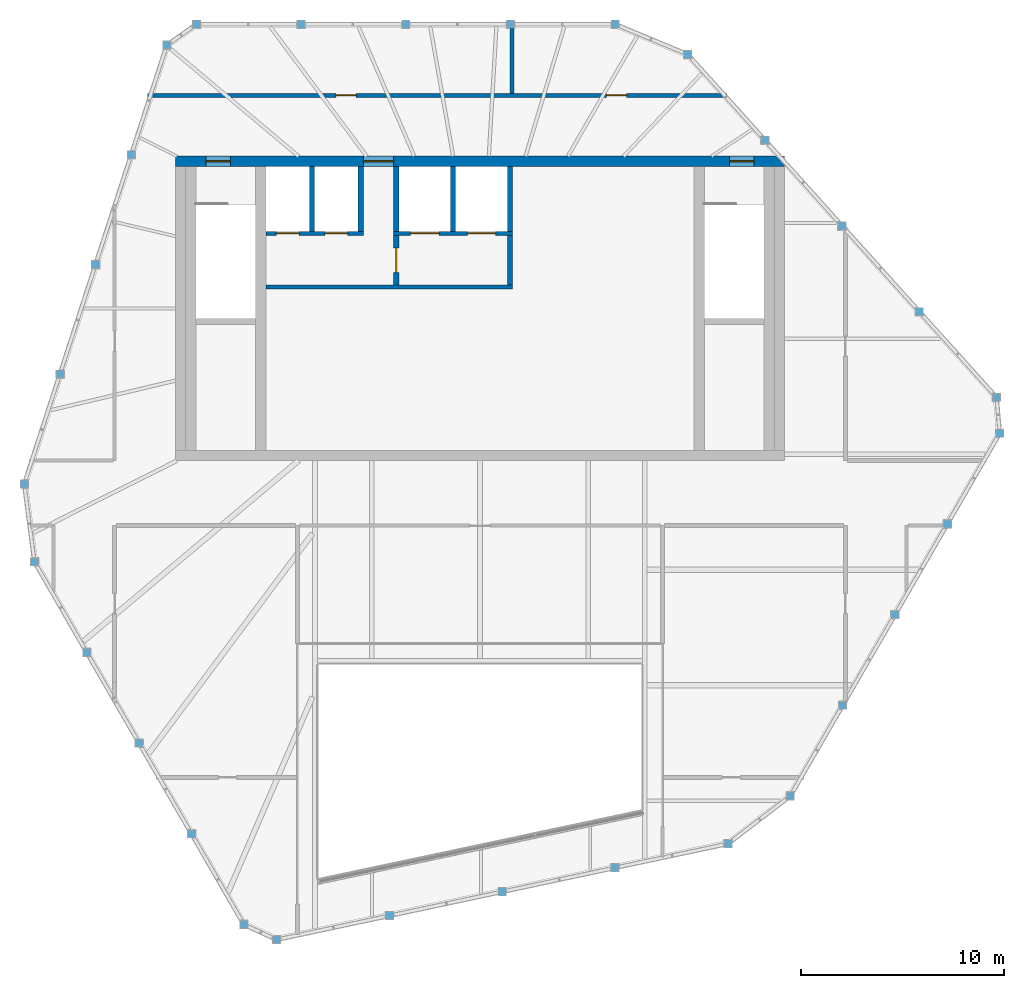
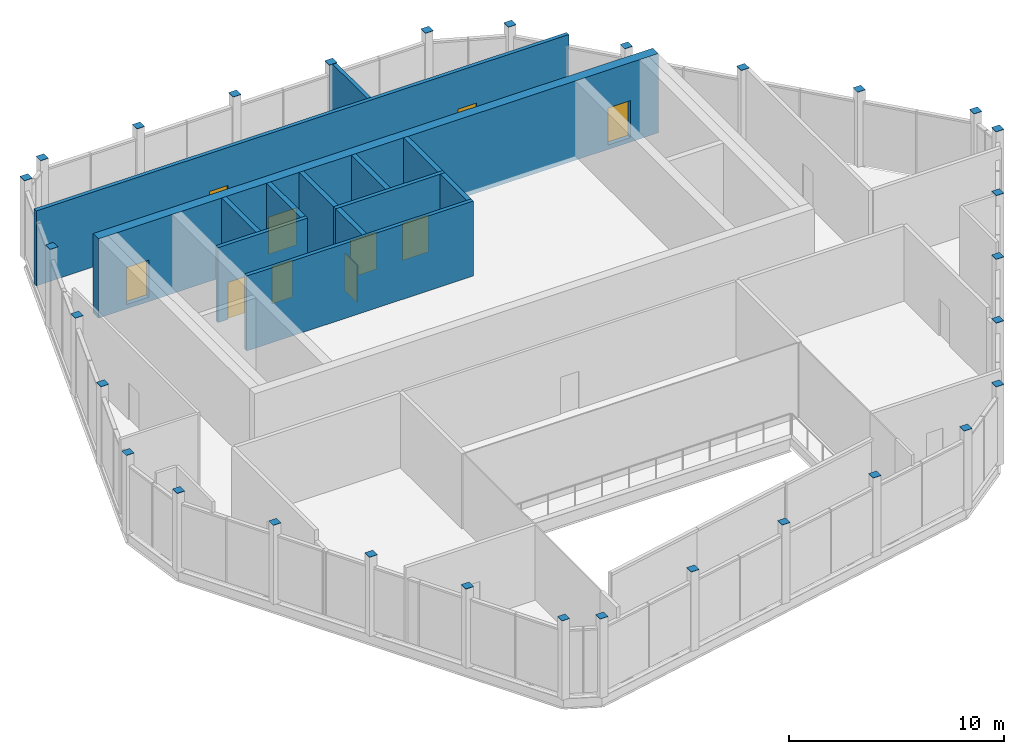
# One storey, part 9 of 10: 30 discrete accessories, 13 walls, 10 doors, 10 openings.
"""IFC4 building model written with IfcOpenShell, lengths in metres."""

from ifc_helpers import new_model, si_unit, direction, frame, frame_2d, origin, origin_2d, place, context, subcontext, project, spatial, rectangle, extrude, material, layer, layer_set, type_object, element, fill, save


model = new_model("IFC4")

# Units and contexts
model_context = context("Model", 3, precision=1e-05, world=origin(), true_north=direction((0.0, 1.0)))
body_context = subcontext(model_context, "Body", "Model", "MODEL_VIEW")
ifc_project = project(units=[si_unit("LENGTHUNIT", "METRE"), si_unit("AREAUNIT", "SQUARE_METRE"), si_unit("VOLUMEUNIT", "CUBIC_METRE"), si_unit("PLANEANGLEUNIT", "RADIAN"), si_unit("MASSUNIT", "GRAM", prefix="KILO")], contexts=[model_context])

# Site, building, storey
site_placement = place(None, origin())
site = spatial("IfcSite", under=ifc_project, at=site_placement, CompositionType="ELEMENT")
building_placement = place(site_placement, origin())
building = spatial("IfcBuilding", under=site, at=building_placement, Name="Isthmus Gate Tower", CompositionType="ELEMENT")
storey_placement = place(building_placement, frame((0.0, 0.0, 311.10009765625)))
storey = spatial("IfcBuildingStorey", under=building, at=storey_placement, Name="C3", CompositionType="ELEMENT", Elevation=311.10009765625)

# Wall, opening, door
ifc_material_1 = material(Name="Fire-rated blockwork masonry, 15 MPa", Category="masonry")
ifc_layer_1 = layer(ifc_material_1, 0.25)
ifc_layer_set_1 = layer_set([ifc_layer_1], Name="FIRE-FIGHTING LOBBY WALL 250 90 MIN")
wall_type_1 = type_object("IfcWallType", Name="FIRE-FIGHTING LOBBY WALL 250 90 MIN", PredefinedType="PARTITIONING", material=ifc_layer_set_1)
wall_1_placement = place(storey_placement, frame((-4.125, 8.64990234375, 0.0), z_axis=(0.0, 0.0, 1.0), x_axis=(0.0, 1.0, 0.0)))
wall_1 = element("IfcWall", 1, at=wall_1_placement, inside=storey, type_object=wall_type_1, Name="C3 FIRE-FIGHTING LOBBY WALL 250 90 MIN", PredefinedType="PARTITIONING", context=body_context, shape_type="SweptSolid", body=[
    extrude(rectangle(XDim=2.4501953125, YDim=0.25, at=frame_2d((1.22509765625, 0.0))), origin(), (0.0, 0.0, 1.0), 4.25),
])
opening_1_placement = place(wall_1_placement, frame((0.625, 0.0, 0.0)))
opening_1 = element("IfcOpeningElement", 2, at=opening_1_placement, cuts=wall_1, Name="Opening DC-A23-03", PredefinedType="OPENING", context=body_context, shape_type="SweptSolid", body=[
    extrude(rectangle(XDim=1.199951171875, YDim=2.10009765625, at=frame_2d((0.60009765625, 1.050048828125))), frame((0.0, 0.135009765625, 0.0), z_axis=(0.0, -1.0, 0.0), x_axis=(1.0, 0.0, 0.0)), (0.0, 0.0, 1.0), 0.27001953125),
])
ifc_material_2 = material(Name="Steel door leaf, fire-rated", Category="steel")
door_type_1 = type_object("IfcDoorType", Name="LOBBY FIRE DOOR 1200 X 2100 90 MIN", OperationType="DOUBLE_DOOR_SINGLE_SWING", PredefinedType="DOOR", material=ifc_material_2)
door_1_placement = place(opening_1_placement, origin())
door_1 = element("IfcDoor", 3, at=door_1_placement, inside=storey, type_object=door_type_1, Name="Fire-fighting Lobby Door", OperationType="SINGLE_SWING_LEFT", OverallHeight=2.10009765625, OverallWidth=1.199951171875, PredefinedType="DOOR", context=body_context, shape_type="SweptSolid", body=[
    extrude(rectangle(XDim=1.199951171875, YDim=2.10009765625, at=frame_2d((0.60009765625, 1.050048828125))), frame((0.0, 0.02490234375, 0.0), z_axis=(0.0, -1.0, 0.0), x_axis=(1.0, 0.0, 0.0)), (0.0, 0.0, 1.0), 0.050048828125),
])
fill(opening_1, door_1)

# Wall, openings, doors
ifc_material_3 = material(Name="Concrete f'c 30 MPa", Category="concrete")
ifc_layer_2 = layer(ifc_material_3, 0.199951171875)
ifc_layer_set_2 = layer_set([ifc_layer_2], Name="Fire-rated block wall 200")
wall_type_2 = type_object("IfcWallType", Name="Fire-rated block wall 200", PredefinedType="PARTITIONING", material=ifc_layer_set_2)
wall_2_placement = place(storey_placement, frame((-16.367919921875, 18.0, 0.0), z_axis=(0.0, 0.0, 1.0), x_axis=(1.0, 0.0, 0.0)))
wall_2 = element("IfcWall", 4, at=wall_2_placement, inside=storey, type_object=wall_type_2, Name="Fire-rated wall", PredefinedType="PARTITIONING", context=body_context, shape_type="SweptSolid", body=[
    extrude(rectangle(XDim=28.544921875, YDim=0.199951171875, at=frame_2d((14.2724609375, 0.0))), origin(), (0.0, 0.0, 1.0), 4.25),
])
opening_2_placement = place(wall_2_placement, frame((9.267822265625, 0.0, 0.0)))
opening_2 = element("IfcOpeningElement", 5, at=opening_2_placement, cuts=wall_2, Name="Opening DP79-01", PredefinedType="OPENING", context=body_context, shape_type="SweptSolid", body=[
    extrude(rectangle(XDim=1.0, YDim=2.10009765625, at=frame_2d((0.5, 1.050048828125))), frame((0.0, 0.10986328125, 0.0), z_axis=(0.0, -1.0, 0.0), x_axis=(1.0, 0.0, 0.0)), (0.0, 0.0, 1.0), 0.219970703125),
])
opening_3_placement = place(wall_2_placement, frame((22.59521484375, 0.0, 0.0)))
opening_3 = element("IfcOpeningElement", 6, at=opening_3_placement, cuts=wall_2, Name="Opening DP79-02", PredefinedType="OPENING", context=body_context, shape_type="SweptSolid", body=[
    extrude(rectangle(XDim=1.0, YDim=2.10009765625, at=frame_2d((0.5, 1.050048828125))), frame((0.0, 0.10986328125, 0.0), z_axis=(0.0, -1.0, 0.0), x_axis=(1.0, 0.0, 0.0)), (0.0, 0.0, 1.0), 0.219970703125),
])
ifc_material_4 = material(Name="Steel fire door with intumescent seals", Category="steel")
door_type_2 = type_object("IfcDoorType", Name="Fire door 1000 x 2100", OperationType="SINGLE_SWING_LEFT", PredefinedType="DOOR", material=ifc_material_4)
door_2_placement = place(opening_2_placement, origin())
door_2 = element("IfcDoor", 7, at=door_2_placement, inside=storey, type_object=door_type_2, Name="Door DP79-01", OperationType="SINGLE_SWING_LEFT", OverallHeight=2.10009765625, OverallWidth=1.0, PredefinedType="DOOR", context=body_context, shape_type="SweptSolid", body=[
    extrude(rectangle(XDim=1.0, YDim=2.10009765625, at=frame_2d((0.5, 1.050048828125))), frame((0.0, 0.02490234375, 0.0), z_axis=(0.0, -1.0, 0.0), x_axis=(1.0, 0.0, 0.0)), (0.0, 0.0, 1.0), 0.050048828125),
])
fill(opening_2, door_2)
door_3_placement = place(opening_3_placement, origin())
door_3 = element("IfcDoor", 8, at=door_3_placement, inside=storey, type_object=door_type_2, Name="Door DP79-02", OperationType="SINGLE_SWING_LEFT", OverallHeight=2.10009765625, OverallWidth=1.0, PredefinedType="DOOR", context=body_context, shape_type="SweptSolid", body=[
    extrude(rectangle(XDim=1.0, YDim=2.10009765625, at=frame_2d((0.5, 1.050048828125))), frame((0.0, 0.02490234375, 0.0), z_axis=(0.0, -1.0, 0.0), x_axis=(1.0, 0.0, 0.0)), (0.0, 0.0, 1.0), 0.050048828125),
])
fill(opening_3, door_3)

# Wall
wall_3_placement = place(storey_placement, frame((1.576904296875, 18.10009765625, 0.0), z_axis=(0.0, 0.0, 1.0), x_axis=(0.0, 1.0, 0.0)))
element("IfcWall", 9, at=wall_3_placement, inside=storey, type_object=wall_type_2, Name="Fire-rated wall", PredefinedType="PARTITIONING", context=body_context, shape_type="SweptSolid", body=[
    extrude(rectangle(XDim=3.539794921875, YDim=0.199951171875, at=frame_2d((1.77001953125, 0.0))), origin(), (0.0, 0.0, 1.0), 4.25),
])

# Wall, openings, doors
ifc_material_5 = material(Name="Concrete f'c 50 MPa", Category="concrete")
ifc_layer_3 = layer(ifc_material_5, 0.5)
ifc_layer_set_3 = layer_set([ifc_layer_3], Name="RC CORE WALL 500 F'C 50")
wall_type_3 = type_object("IfcWallType", Name="RC CORE WALL 500 F'C 50", PredefinedType="SOLIDWALL", material=ifc_layer_set_3)
wall_4_placement = place(storey_placement, frame((-15.0, 14.75, -0.25), z_axis=(0.0, 0.0, 1.0), x_axis=(1.0, 0.0, 0.0)))
wall_4 = element("IfcWall", 10, at=wall_4_placement, inside=storey, type_object=wall_type_3, Name="str-corewall-C3-N", PredefinedType="SOLIDWALL", context=body_context, shape_type="SweptSolid", body=[
    extrude(rectangle(XDim=30.0, YDim=0.5, at=frame_2d((15.0, 0.0))), origin(), (0.0, 0.0, 1.0), 4.5),
])
opening_4_placement = place(wall_4_placement, frame((1.5, 0.0, 0.25)))
opening_4 = element("IfcOpeningElement", 11, at=opening_4_placement, cuts=wall_4, Name="Opening DC-A23-01", PredefinedType="OPENING", context=body_context, shape_type="SweptSolid", body=[
    extrude(rectangle(XDim=1.199951171875, YDim=2.10009765625, at=frame_2d((0.60009765625, 1.050048828125))), frame((0.0, 0.260009765625, 0.0), z_axis=(0.0, -1.0, 0.0), x_axis=(1.0, 0.0, 0.0)), (0.0, 0.0, 1.0), 0.52001953125),
])
opening_5_placement = place(wall_4_placement, frame((27.300048828125, 0.0, 0.25)))
opening_5 = element("IfcOpeningElement", 12, at=opening_5_placement, cuts=wall_4, Name="Opening DC-A23-02", PredefinedType="OPENING", context=body_context, shape_type="SweptSolid", body=[
    extrude(rectangle(XDim=1.199951171875, YDim=2.10009765625, at=frame_2d((0.60009765625, 1.050048828125))), frame((0.0, 0.260009765625, 0.0), z_axis=(0.0, -1.0, 0.0), x_axis=(1.0, 0.0, 0.0)), (0.0, 0.0, 1.0), 0.52001953125),
])
opening_6_placement = place(wall_4_placement, frame((9.25, 0.0, 0.25)))
opening_6 = element("IfcOpeningElement", 13, at=opening_6_placement, cuts=wall_4, Name="Opening DC-A23-04", PredefinedType="OPENING", context=body_context, shape_type="SweptSolid", body=[
    extrude(rectangle(XDim=1.5, YDim=2.10009765625, at=frame_2d((0.75, 1.050048828125))), frame((0.0, 0.260009765625, 0.0), z_axis=(0.0, -1.0, 0.0), x_axis=(1.0, 0.0, 0.0)), (0.0, 0.0, 1.0), 0.52001953125),
])
ifc_material_6 = material(Name="Steel door leaf, fire-rated", Category="steel")
door_type_3 = type_object("IfcDoorType", Name="LOBBY FIRE DOOR 1500 X 2100 90 MIN", OperationType="DOUBLE_DOOR_SINGLE_SWING", PredefinedType="DOOR", material=ifc_material_6)
door_4_placement = place(opening_6_placement, origin())
door_4 = element("IfcDoor", 14, at=door_4_placement, inside=storey, type_object=door_type_3, Name="Lobby Door PN-W", OperationType="DOUBLE_DOOR_SINGLE_SWING", OverallHeight=2.10009765625, OverallWidth=1.5, PredefinedType="DOOR", context=body_context, shape_type="SweptSolid", body=[
    extrude(rectangle(XDim=1.5, YDim=2.10009765625, at=frame_2d((0.75, 1.050048828125))), frame((0.0, 0.02490234375, 0.0), z_axis=(0.0, -1.0, 0.0), x_axis=(1.0, 0.0, 0.0)), (0.0, 0.0, 1.0), 0.050048828125),
])
fill(opening_6, door_4)
ifc_material_7 = material(Name="Steel door leaf, fire-rated", Category="steel")
door_type_4 = type_object("IfcDoorType", Name="STAIR FIRE DOOR 1200 X 2100 90 MIN", OperationType="SINGLE_SWING_LEFT", PredefinedType="DOOR", material=ifc_material_7)
door_5_placement = place(opening_4_placement, origin())
door_5 = element("IfcDoor", 15, at=door_5_placement, inside=storey, type_object=door_type_4, Name="Exit Stair 1 Door", OperationType="SINGLE_SWING_RIGHT", OverallHeight=2.10009765625, OverallWidth=1.199951171875, PredefinedType="DOOR", context=body_context, shape_type="SweptSolid", body=[
    extrude(rectangle(XDim=1.199951171875, YDim=2.10009765625, at=frame_2d((0.60009765625, 1.050048828125))), frame((0.0, 0.02490234375, 0.0), z_axis=(0.0, -1.0, 0.0), x_axis=(1.0, 0.0, 0.0)), (0.0, 0.0, 1.0), 0.050048828125),
])
fill(opening_4, door_5)
door_6_placement = place(opening_5_placement, origin())
door_6 = element("IfcDoor", 16, at=door_6_placement, inside=storey, type_object=door_type_4, Name="Exit Stair 2 Door", OperationType="SINGLE_SWING_LEFT", OverallHeight=2.10009765625, OverallWidth=1.199951171875, PredefinedType="DOOR", context=body_context, shape_type="SweptSolid", body=[
    extrude(rectangle(XDim=1.199951171875, YDim=2.10009765625, at=frame_2d((0.60009765625, 1.050048828125))), frame((0.0, 0.02490234375, 0.0), z_axis=(0.0, -1.0, 0.0), x_axis=(1.0, 0.0, 0.0)), (0.0, 0.0, 1.0), 0.050048828125),
])
fill(opening_5, door_6)

# Wall
ifc_material_8 = material(Name="Fire-rated blockwork masonry, 15 MPa", Category="masonry")
ifc_layer_4 = layer(ifc_material_8, 0.199951171875)
ifc_layer_set_4 = layer_set([ifc_layer_4], Name="SHAFT FRONT WALL 200 120 MIN")
wall_type_4 = type_object("IfcWallType", Name="SHAFT FRONT WALL 200 120 MIN", PredefinedType="PARTITIONING", material=ifc_layer_set_4)
wall_5_placement = place(storey_placement, frame((-10.550048828125, 8.550048828125, 0.0), z_axis=(0.0, 0.0, 1.0), x_axis=(1.0, 0.0, 0.0)))
element("IfcWall", 17, at=wall_5_placement, inside=storey, type_object=wall_type_4, Name="C3 SHAFT FRONT WALL 200 120 MIN", PredefinedType="PARTITIONING", context=body_context, shape_type="SweptSolid", body=[
    extrude(rectangle(XDim=12.150146484375, YDim=0.199951171875, at=frame_2d((6.0751953125, 0.0))), origin(), (0.0, 0.0, 1.0), 4.25),
])

# Wall, openings, doors
wall_6_placement = place(storey_placement, frame((-10.550048828125, 11.199951171875, 0.0), z_axis=(0.0, 0.0, 1.0), x_axis=(1.0, 0.0, 0.0)))
wall_6 = element("IfcWall", 18, at=wall_6_placement, inside=storey, type_object=wall_type_4, Name="C3 SHAFT FRONT WALL 200 120 MIN", PredefinedType="PARTITIONING", context=body_context, shape_type="SweptSolid", body=[
    extrude(rectangle(XDim=4.800048828125, YDim=0.199951171875, at=frame_2d((2.39990234375, 0.0))), origin(), (0.0, 0.0, 1.0), 4.25),
])
opening_7_placement = place(wall_6_placement, frame((0.52490234375, 0.0, 0.0)))
opening_7 = element("IfcOpeningElement", 19, at=opening_7_placement, cuts=wall_6, Name="Opening LD-LF1", PredefinedType="OPENING", context=body_context, shape_type="SweptSolid", body=[
    extrude(rectangle(XDim=1.10009765625, YDim=2.10009765625, at=frame_2d((0.550048828125, 1.050048828125))), frame((0.0, 0.10986328125, 0.0), z_axis=(0.0, -1.0, 0.0), x_axis=(1.0, 0.0, 0.0)), (0.0, 0.0, 1.0), 0.219970703125),
])
opening_8_placement = place(wall_6_placement, frame((2.925048828125, 0.0, 0.0)))
opening_8 = element("IfcOpeningElement", 20, at=opening_8_placement, cuts=wall_6, Name="Opening LD-LF2", PredefinedType="OPENING", context=body_context, shape_type="SweptSolid", body=[
    extrude(rectangle(XDim=1.10009765625, YDim=2.10009765625, at=frame_2d((0.550048828125, 1.050048828125))), frame((0.0, 0.10986328125, 0.0), z_axis=(0.0, -1.0, 0.0), x_axis=(1.0, 0.0, 0.0)), (0.0, 0.0, 1.0), 0.219970703125),
])
ifc_material_9 = material(Name="Stainless steel sliding leaf", Category="steel")
door_type_5 = type_object("IfcDoorType", Name="LIFT LANDING FIRE DOOR 1100 X 2100 90 MIN", OperationType="DOUBLE_DOOR_SLIDING", PredefinedType="DOOR", material=ifc_material_9)
door_7_placement = place(opening_7_placement, origin())
door_7 = element("IfcDoor", 21, at=door_7_placement, inside=storey, type_object=door_type_5, Name="Lift Landing Door LF1", OperationType="DOUBLE_DOOR_SLIDING", OverallHeight=2.10009765625, OverallWidth=1.10009765625, PredefinedType="DOOR", context=body_context, shape_type="SweptSolid", body=[
    extrude(rectangle(XDim=1.10009765625, YDim=2.10009765625, at=frame_2d((0.550048828125, 1.050048828125))), frame((0.0, 0.02490234375, 0.0), z_axis=(0.0, -1.0, 0.0), x_axis=(1.0, 0.0, 0.0)), (0.0, 0.0, 1.0), 0.050048828125),
])
fill(opening_7, door_7)
door_8_placement = place(opening_8_placement, origin())
door_8 = element("IfcDoor", 22, at=door_8_placement, inside=storey, type_object=door_type_5, Name="Lift Landing Door LF2", OperationType="DOUBLE_DOOR_SLIDING", OverallHeight=2.10009765625, OverallWidth=1.10009765625, PredefinedType="DOOR", context=body_context, shape_type="SweptSolid", body=[
    extrude(rectangle(XDim=1.10009765625, YDim=2.10009765625, at=frame_2d((0.550048828125, 1.050048828125))), frame((0.0, 0.02490234375, 0.0), z_axis=(0.0, -1.0, 0.0), x_axis=(1.0, 0.0, 0.0)), (0.0, 0.0, 1.0), 0.050048828125),
])
fill(opening_8, door_8)

wall_7_placement = place(storey_placement, frame((-4.25, 11.199951171875, 0.0), z_axis=(0.0, 0.0, 1.0), x_axis=(1.0, 0.0, 0.0)))
wall_7 = element("IfcWall", 23, at=wall_7_placement, inside=storey, type_object=wall_type_4, Name="C3 SHAFT FRONT WALL 200 120 MIN", PredefinedType="PARTITIONING", context=body_context, shape_type="SweptSolid", body=[
    extrude(rectangle(XDim=5.85009765625, YDim=0.199951171875, at=frame_2d((2.925048828125, 0.0))), origin(), (0.0, 0.0, 1.0), 4.25),
])
opening_9_placement = place(wall_7_placement, frame((0.824951171875, 0.0, 0.0)))
opening_9 = element("IfcOpeningElement", 24, at=opening_9_placement, cuts=wall_7, Name="Opening LD-LV1", PredefinedType="OPENING", context=body_context, shape_type="SweptSolid", body=[
    extrude(rectangle(XDim=1.39990234375, YDim=2.10009765625, at=frame_2d((0.699951171875, 1.050048828125))), frame((0.0, 0.10986328125, 0.0), z_axis=(0.0, -1.0, 0.0), x_axis=(1.0, 0.0, 0.0)), (0.0, 0.0, 1.0), 0.219970703125),
])
opening_10_placement = place(wall_7_placement, frame((3.625, 0.0, 0.0)))
opening_10 = element("IfcOpeningElement", 25, at=opening_10_placement, cuts=wall_7, Name="Opening LD-LV2", PredefinedType="OPENING", context=body_context, shape_type="SweptSolid", body=[
    extrude(rectangle(XDim=1.39990234375, YDim=2.10009765625, at=frame_2d((0.699951171875, 1.050048828125))), frame((0.0, 0.10986328125, 0.0), z_axis=(0.0, -1.0, 0.0), x_axis=(1.0, 0.0, 0.0)), (0.0, 0.0, 1.0), 0.219970703125),
])
ifc_material_10 = material(Name="Stainless steel sliding leaf", Category="steel")
door_type_6 = type_object("IfcDoorType", Name="LIFT LANDING FIRE DOOR 1400 X 2100 90 MIN", OperationType="DOUBLE_DOOR_SLIDING", PredefinedType="DOOR", material=ifc_material_10)
door_9_placement = place(opening_9_placement, origin())
door_9 = element("IfcDoor", 26, at=door_9_placement, inside=storey, type_object=door_type_6, Name="Lift Landing Door LV1", OperationType="DOUBLE_DOOR_SLIDING", OverallHeight=2.10009765625, OverallWidth=1.39990234375, PredefinedType="DOOR", context=body_context, shape_type="SweptSolid", body=[
    extrude(rectangle(XDim=1.39990234375, YDim=2.10009765625, at=frame_2d((0.699951171875, 1.050048828125))), frame((0.0, 0.02490234375, 0.0), z_axis=(0.0, -1.0, 0.0), x_axis=(1.0, 0.0, 0.0)), (0.0, 0.0, 1.0), 0.050048828125),
])
fill(opening_9, door_9)
door_10_placement = place(opening_10_placement, origin())
door_10 = element("IfcDoor", 27, at=door_10_placement, inside=storey, type_object=door_type_6, Name="Lift Landing Door LV2", OperationType="DOUBLE_DOOR_SLIDING", OverallHeight=2.10009765625, OverallWidth=1.39990234375, PredefinedType="DOOR", context=body_context, shape_type="SweptSolid", body=[
    extrude(rectangle(XDim=1.39990234375, YDim=2.10009765625, at=frame_2d((0.699951171875, 1.050048828125))), frame((0.0, 0.02490234375, 0.0), z_axis=(0.0, -1.0, 0.0), x_axis=(1.0, 0.0, 0.0)), (0.0, 0.0, 1.0), 0.050048828125),
])
fill(opening_10, door_10)

# Walls
ifc_material_11 = material(Name="Fire-rated blockwork masonry, 15 MPa", Category="masonry")
ifc_layer_5 = layer(ifc_material_11, 0.25)
ifc_layer_set_5 = layer_set([ifc_layer_5], Name="SHAFT WALL 250 120 MIN")
wall_type_5 = type_object("IfcWallType", Name="SHAFT WALL 250 120 MIN", PredefinedType="PARTITIONING", material=ifc_layer_set_5)
wall_8_placement = place(storey_placement, frame((1.47509765625, 8.64990234375, 0.0), z_axis=(0.0, 0.0, 1.0), x_axis=(0.0, 1.0, 0.0)))
element("IfcWall", 28, at=wall_8_placement, inside=storey, type_object=wall_type_5, Name="C3 SHAFT WALL 250 120 MIN", PredefinedType="PARTITIONING", context=body_context, shape_type="SweptSolid", body=[
    extrude(rectangle(XDim=2.4501953125, YDim=0.25, at=frame_2d((1.22509765625, 0.0))), origin(), (0.0, 0.0, 1.0), 4.25),
])
for number, where, z_axis, x_axis, name in (
    (29, (-8.27490234375, 11.300048828125, 0.0), (0.0, 0.0, 1.0), (0.0, 1.0, 0.0), "C3 SHAFT WALL 250 120 MIN"),
    (30, (-5.875, 11.300048828125, 0.0), (0.0, 0.0, 1.0), (0.0, 1.0, 0.0), "C3 SHAFT WALL 250 120 MIN"),
    (31, (-4.125, 11.300048828125, 0.0), (0.0, 0.0, 1.0), (0.0, 1.0, 0.0), "C3 SHAFT WALL 250 120 MIN"),
    (32, (-1.324951171875, 11.300048828125, 0.0), (0.0, 0.0, 1.0), (0.0, 1.0, 0.0), "C3 SHAFT WALL 250 120 MIN"),
    (33, (1.47509765625, 11.300048828125, 0.0), (0.0, 0.0, 1.0), (0.0, 1.0, 0.0), "C3 SHAFT WALL 250 120 MIN"),
):
    element("IfcWall", number, at=place(storey_placement, frame(where, z_axis=z_axis, x_axis=x_axis)), inside=storey, type_object=wall_type_5, Name=name, PredefinedType="PARTITIONING", context=body_context, shape_type="SweptSolid", body=[
        extrude(rectangle(XDim=3.199951171875, YDim=0.25, at=frame_2d((1.60009765625, 0.0))), origin(), (0.0, 0.0, 1.0), 4.25),
    ])

# Discrete accessories
ifc_material_12 = material(Name="Structural steel ASTM A500 Gr C", Category="steel")
discrete_accessory_type = type_object("IfcDiscreteAccessoryType", Name="END CAP PLATE 420 X 20", PredefinedType="USERDEFINED", material=ifc_material_12)
for number, where, z_axis, x_axis, name in (
    (34, (6.659912109375, 21.5, 4.25), (0.0, 0.0, 1.0), (1.0, 0.0, 0.0), "END CAP PLATE"),
    (35, (1.502685546875, 21.5, 4.25), (0.0, 0.0, 1.0), (1.0, 0.0, 0.0), "END CAP PLATE"),
    (36, (-3.65478515625, 21.5, 4.25), (0.0, 0.0, 1.0), (1.0, 0.0, 0.0), "END CAP PLATE"),
    (37, (-8.81201171875, 21.5, 4.25), (0.0, 0.0, 1.0), (1.0, 0.0, 0.0), "END CAP PLATE"),
    (38, (-13.96923828125, 21.5, 4.25), (0.0, 0.0, 1.0), (1.0, 0.0, 0.0), "END CAP PLATE"),
    (39, (-15.425048828125, 20.475830078125, 4.25), (0.0, 0.0, 1.0), (1.0, 0.0, 0.0), "END CAP PLATE"),
    (40, (-17.18115234375, 15.071044921875, 4.25), (0.0, 0.0, 1.0), (1.0, 0.0, 0.0), "END CAP PLATE"),
    (41, (-18.937255859375, 9.666015625, 4.25), (0.0, 0.0, 1.0), (1.0, 0.0, 0.0), "END CAP PLATE"),
    (42, (-20.693359375, 4.26123046875, 4.25), (0.0, 0.0, 1.0), (1.0, 0.0, 0.0), "END CAP PLATE"),
    (43, (-22.449462890625, -1.1435546875, 4.25), (0.0, 0.0, 1.0), (1.0, 0.0, 0.0), "END CAP PLATE"),
    (44, (-21.949462890625, -4.982177734375, 4.25), (0.0, 0.0, 1.0), (1.0, 0.0, 0.0), "END CAP PLATE"),
    (45, (-19.370849609375, -9.44873046875, 4.25), (0.0, 0.0, 1.0), (1.0, 0.0, 0.0), "END CAP PLATE"),
    (46, (-16.792236328125, -13.9150390625, 4.25), (0.0, 0.0, 1.0), (1.0, 0.0, 0.0), "END CAP PLATE"),
    (47, (-14.213623046875, -18.38134765625, 4.25), (0.0, 0.0, 1.0), (1.0, 0.0, 0.0), "END CAP PLATE"),
    (48, (-11.634765625, -22.847900390625, 4.25), (0.0, 0.0, 1.0), (1.0, 0.0, 0.0), "END CAP PLATE"),
    (49, (-10.020263671875, -23.596435546875, 4.25), (0.0, 0.0, 1.0), (1.0, 0.0, 0.0), "END CAP PLATE"),
    (50, (-4.46142578125, -22.414794921875, 4.25), (0.0, 0.0, 1.0), (1.0, 0.0, 0.0), "END CAP PLATE"),
    (51, (1.097412109375, -21.233154296875, 4.25), (0.0, 0.0, 1.0), (1.0, 0.0, 0.0), "END CAP PLATE"),
    (52, (6.65625, -20.0517578125, 4.25), (0.0, 0.0, 1.0), (1.0, 0.0, 0.0), "END CAP PLATE"),
    (53, (12.215087890625, -18.8701171875, 4.25), (0.0, 0.0, 1.0), (1.0, 0.0, 0.0), "END CAP PLATE"),
    (54, (15.28955078125, -16.517822265625, 4.25), (0.0, 0.0, 1.0), (1.0, 0.0, 0.0), "END CAP PLATE"),
    (55, (17.8681640625, -12.05126953125, 4.25), (0.0, 0.0, 1.0), (1.0, 0.0, 0.0), "END CAP PLATE"),
    (56, (20.44677734375, -7.5849609375, 4.25), (0.0, 0.0, 1.0), (1.0, 0.0, 0.0), "END CAP PLATE"),
    (57, (23.025634765625, -3.11865234375, 4.25), (0.0, 0.0, 1.0), (1.0, 0.0, 0.0), "END CAP PLATE"),
    (58, (25.604248046875, 1.347900390625, 4.25), (0.0, 0.0, 1.0), (1.0, 0.0, 0.0), "END CAP PLATE"),
    (59, (25.445068359375, 3.120361328125, 4.25), (0.0, 0.0, 1.0), (1.0, 0.0, 0.0), "END CAP PLATE"),
    (60, (21.642333984375, 7.34375, 4.25), (0.0, 0.0, 1.0), (1.0, 0.0, 0.0), "END CAP PLATE"),
    (61, (17.83984375, 11.567138671875, 4.25), (0.0, 0.0, 1.0), (1.0, 0.0, 0.0), "END CAP PLATE"),
    (62, (14.037109375, 15.790283203125, 4.25), (0.0, 0.0, 1.0), (1.0, 0.0, 0.0), "END CAP PLATE"),
    (63, (10.234375, 20.013671875, 4.25), (0.0, 0.0, 1.0), (1.0, 0.0, 0.0), "END CAP PLATE"),
):
    element("IfcDiscreteAccessory", number, at=place(storey_placement, frame(where, z_axis=z_axis, x_axis=x_axis)), inside=storey, type_object=discrete_accessory_type, Name=name, ObjectType="END CAP PLATE", PredefinedType="USERDEFINED", context=body_context, shape_type="SweptSolid", body=[
        extrude(rectangle(XDim=0.419921875, YDim=0.419921875, at=origin_2d()), origin(), (0.0, 0.0, 1.0), 0.02001953125),
    ])

save(model, "model.ifc")
